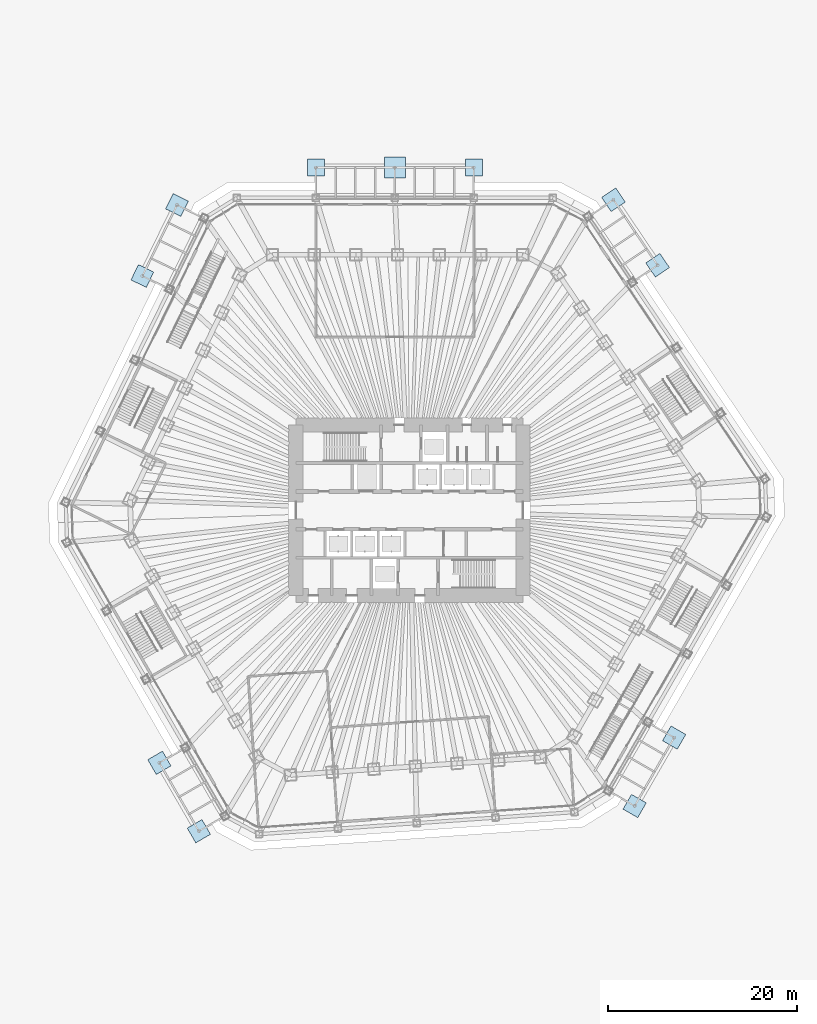
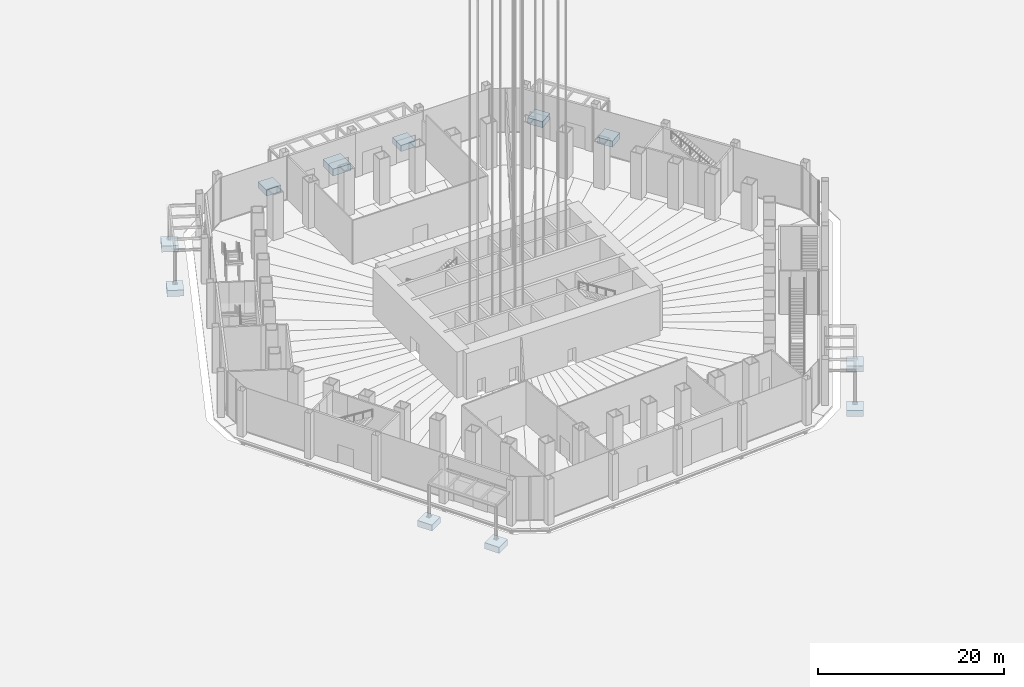
# One storey, part 1 of 45: 11 footings.
"""IFC4 building model written with IfcOpenShell, lengths in metres."""

from ifc_helpers import new_model, si_unit, direction, frame, origin, place, context, subcontext, project, spatial, polyline, outline, extrude, material, layer, layer_set, type_object, element, save


model = new_model("IFC4")

# Units and contexts
model_context = context("Model", 3, precision=1e-05, world=origin(), true_north=direction((0.0, 1.0)))
body_context = subcontext(model_context, "Body", "Model", "MODEL_VIEW")
ifc_project = project(units=[si_unit("LENGTHUNIT", "METRE"), si_unit("AREAUNIT", "SQUARE_METRE"), si_unit("VOLUMEUNIT", "CUBIC_METRE"), si_unit("PLANEANGLEUNIT", "RADIAN"), si_unit("MASSUNIT", "GRAM", prefix="KILO")], contexts=[model_context])

# Site, building, storey
site_placement = place(None, origin())
site = spatial("IfcSite", under=ifc_project, at=site_placement, CompositionType="ELEMENT")
building_placement = place(site_placement, origin())
building = spatial("IfcBuilding", under=site, at=building_placement, Name="Qingtian Harvest Tower", CompositionType="ELEMENT")
storey_placement = place(building_placement, origin())
storey = spatial("IfcBuildingStorey", under=building, at=storey_placement, Name="L00", CompositionType="ELEMENT", Elevation=0.0)

# Footings
ifc_material_1 = material(Name="Concrete fc' 35 MPa", Category="concrete")
ifc_layer_1 = layer(ifc_material_1, 0.800048828125)
ifc_layer_set_1 = layer_set([ifc_layer_1], Name="Pad footing PF1 1800x1800x800")
footing_type_1 = type_object("IfcFootingType", Name="Pad footing PF1 1800x1800x800", PredefinedType="PAD_FOOTING", material=ifc_layer_set_1)
footing_1_placement = place(storey_placement, frame((0.0, 0.0, -1.10009765625)))
element("IfcFooting", 1, at=footing_1_placement, inside=storey, type_object=footing_type_1, Name="Canopy pad footing CN1 1", PredefinedType="PAD_FOOTING", context=body_context, shape_type="SweptSolid", body=[
    extrude(outline(polyline([(-8.97900390625, 35.300048828125), (-10.77880859375, 35.300048828125), (-10.77880859375, 37.10009765625), (-8.97900390625, 37.10009765625), (-8.97900390625, 35.300048828125)])), origin(), (0.0, 0.0, 1.0), 0.800048828125),
])
footing_2_placement = place(storey_placement, frame((0.0, 0.0, -1.10009765625)))
element("IfcFooting", 2, at=footing_2_placement, inside=storey, type_object=footing_type_1, Name="Canopy pad footing CN1 3", PredefinedType="PAD_FOOTING", context=body_context, shape_type="SweptSolid", body=[
    extrude(outline(polyline([(7.70458984375, 35.300048828125), (5.904541015625, 35.300048828125), (5.904541015625, 37.10009765625), (7.70458984375, 37.10009765625), (7.70458984375, 35.300048828125)])), origin(), (0.0, 0.0, 1.0), 0.800048828125),
])
footing_3_placement = place(storey_placement, frame((0.0, 0.0, -1.10009765625)))
element("IfcFooting", 3, at=footing_3_placement, inside=storey, type_object=footing_type_1, Name="Canopy pad footing CN2 0", PredefinedType="PAD_FOOTING", context=body_context, shape_type="SweptSolid", body=[
    extrude(outline(polyline([(21.298583984375, 31.55029296875), (20.2919921875, 33.04248046875), (21.7841796875, 34.049072265625), (22.790771484375, 32.556884765625), (21.298583984375, 31.55029296875)])), origin(), (0.0, 0.0, 1.0), 0.800048828125),
])
footing_4_placement = place(storey_placement, frame((0.0, 0.0, -1.10009765625)))
element("IfcFooting", 4, at=footing_4_placement, inside=storey, type_object=footing_type_1, Name="Canopy pad footing CN2 1", PredefinedType="PAD_FOOTING", context=body_context, shape_type="SweptSolid", body=[
    extrude(outline(polyline([(25.963134765625, 24.634765625), (24.95654296875, 26.126953125), (26.448974609375, 27.133544921875), (27.45556640625, 25.64111328125), (25.963134765625, 24.634765625)])), origin(), (0.0, 0.0, 1.0), 0.800048828125),
])
footing_5_placement = place(storey_placement, frame((0.0, 0.0, -1.10009765625)))
element("IfcFooting", 5, at=footing_5_placement, inside=storey, type_object=footing_type_1, Name="Canopy pad footing CN3 3", PredefinedType="PAD_FOOTING", context=body_context, shape_type="SweptSolid", body=[
    extrude(outline(polyline([(26.71826171875, -24.322509765625), (27.618408203125, -22.763671875), (29.17724609375, -23.66357421875), (28.27734375, -25.222412109375), (26.71826171875, -24.322509765625)])), origin(), (0.0, 0.0, 1.0), 0.800048828125),
])
footing_6_placement = place(storey_placement, frame((0.0, 0.0, -1.10009765625)))
element("IfcFooting", 6, at=footing_6_placement, inside=storey, type_object=footing_type_1, Name="Canopy pad footing CN3 4", PredefinedType="PAD_FOOTING", context=body_context, shape_type="SweptSolid", body=[
    extrude(outline(polyline([(22.547607421875, -31.546630859375), (23.447509765625, -29.98779296875), (25.00634765625, -30.8876953125), (24.1064453125, -32.446533203125), (22.547607421875, -31.546630859375)])), origin(), (0.0, 0.0, 1.0), 0.800048828125),
])
footing_7_placement = place(storey_placement, frame((0.0, 0.0, -1.10009765625)))
element("IfcFooting", 7, at=footing_7_placement, inside=storey, type_object=footing_type_1, Name="Canopy pad footing CN4 0", PredefinedType="PAD_FOOTING", context=body_context, shape_type="SweptSolid", body=[
    extrude(outline(polyline([(-21.910400390625, -32.650146484375), (-21.01025390625, -34.208984375), (-22.569091796875, -35.10888671875), (-23.46923828125, -33.550048828125), (-21.910400390625, -32.650146484375)])), origin(), (0.0, 0.0, 1.0), 0.800048828125),
])
footing_8_placement = place(storey_placement, frame((0.0, 0.0, -1.10009765625)))
element("IfcFooting", 8, at=footing_8_placement, inside=storey, type_object=footing_type_1, Name="Canopy pad footing CN4 1", PredefinedType="PAD_FOOTING", context=body_context, shape_type="SweptSolid", body=[
    extrude(outline(polyline([(-26.081298828125, -25.426025390625), (-25.18115234375, -26.98486328125), (-26.739990234375, -27.884765625), (-27.64013671875, -26.325927734375), (-26.081298828125, -25.426025390625)])), origin(), (0.0, 0.0, 1.0), 0.800048828125),
])
footing_9_placement = place(storey_placement, frame((0.0, 0.0, -1.10009765625)))
element("IfcFooting", 9, at=footing_9_placement, inside=storey, type_object=footing_type_1, Name="Canopy pad footing CN5 3", PredefinedType="PAD_FOOTING", context=body_context, shape_type="SweptSolid", body=[
    extrude(outline(polyline([(-27.002197265625, 25.16259765625), (-27.791259765625, 23.544677734375), (-29.4091796875, 24.333740234375), (-28.6201171875, 25.95166015625), (-27.002197265625, 25.16259765625)])), origin(), (0.0, 0.0, 1.0), 0.800048828125),
])
footing_10_placement = place(storey_placement, frame((0.0, 0.0, -1.10009765625)))
element("IfcFooting", 10, at=footing_10_placement, inside=storey, type_object=footing_type_1, Name="Canopy pad footing CN5 4", PredefinedType="PAD_FOOTING", context=body_context, shape_type="SweptSolid", body=[
    extrude(outline(polyline([(-23.345458984375, 32.66015625), (-24.134521484375, 31.042236328125), (-25.75244140625, 31.831298828125), (-24.96337890625, 33.44921875), (-23.345458984375, 32.66015625)])), origin(), (0.0, 0.0, 1.0), 0.800048828125),
])
ifc_material_2 = material(Name="Concrete fc' 35 MPa", Category="concrete")
ifc_layer_2 = layer(ifc_material_2, 0.89990234375)
ifc_layer_set_2 = layer_set([ifc_layer_2], Name="Pad footing PF2 2200x2200x900")
footing_type_2 = type_object("IfcFootingType", Name="Pad footing PF2 2200x2200x900", PredefinedType="PAD_FOOTING", material=ifc_layer_set_2)
footing_11_placement = place(storey_placement, frame((0.0, 0.0, -1.199951171875)))
element("IfcFooting", 11, at=footing_11_placement, inside=storey, type_object=footing_type_2, Name="Canopy pad footing CN1 2", PredefinedType="PAD_FOOTING", context=body_context, shape_type="SweptSolid", body=[
    extrude(outline(polyline([(-0.437255859375, 35.10009765625), (-2.63720703125, 35.10009765625), (-2.63720703125, 37.300048828125), (-0.437255859375, 37.300048828125), (-0.437255859375, 35.10009765625)])), origin(), (0.0, 0.0, 1.0), 0.89990234375),
])

save(model, "model.ifc")
